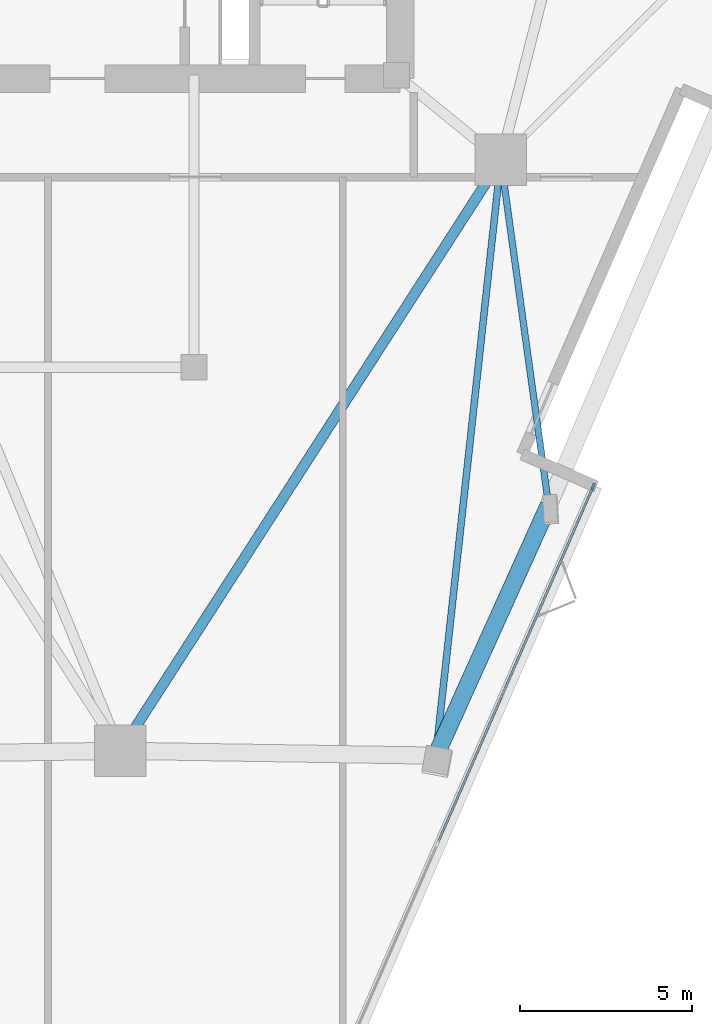
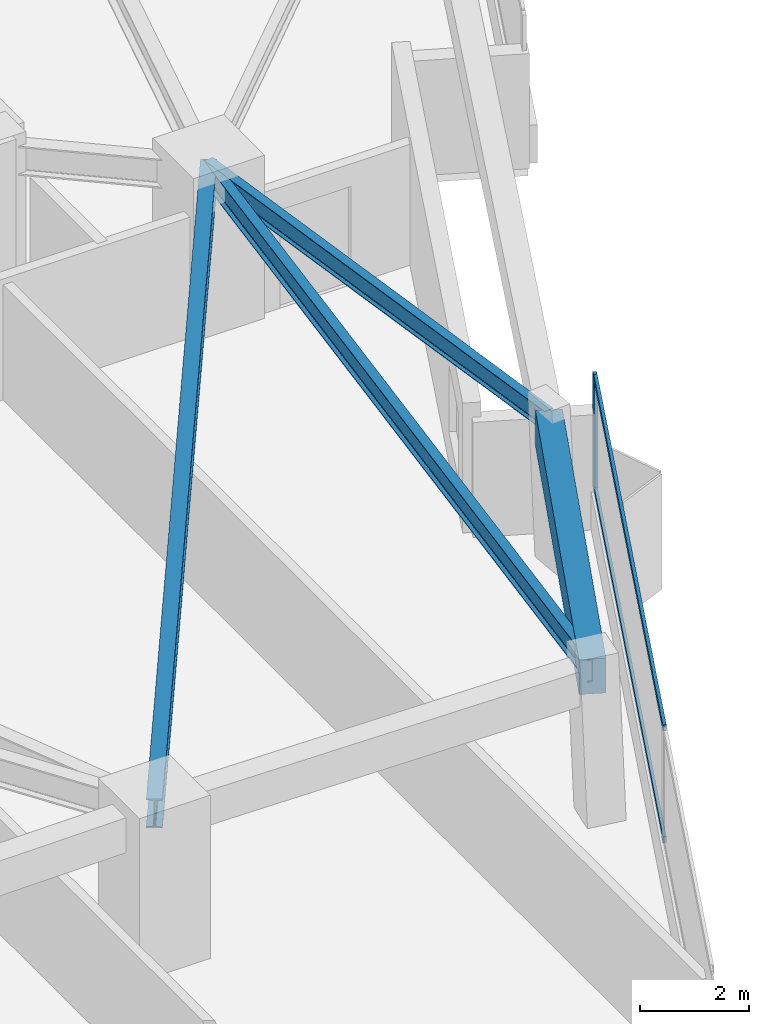
# One storey, part 3 of 12: 4 beams, 3 members, 1 element without a shape of its own.
"""IFC4 building model written with IfcOpenShell, lengths in metres."""

import ifcopenshell
import ifcopenshell.guid

model = None  # the IFC model being written
_history = None  # IfcOwnerHistory: only IFC2X3 demands one
_inside = {}  # id of a spatial element -> (the spatial element, [elements in it])
_under = {}  # id of a project, library or spatial element -> (it, [spatial elements below it])
_declared = {}  # id of a project -> (the project, [libraries it declares])
_typed = {}  # id of a type object -> (the type object, [elements of that type])
_made_of = {}  # id of a material, layer set ... -> (it, [elements and type objects made of it])


def new_model(schema):
    """Start an empty IFC model of exactly this schema.

    Asked for "IFC4X3", IfcOpenShell would pick the latest addendum, in which some entities
    have other attributes; the version numbers below select the first issue.
    IFC2X3 requires an IfcOwnerHistory on every rooted entity: one is made here for all.
    """
    global model, _history
    if schema == "IFC4X3":
        model = ifcopenshell.file(schema_version=(4, 3, 0, 0))
    else:
        model = ifcopenshell.file(schema=schema)
    _inside.clear()
    _under.clear()
    _declared.clear()
    _typed.clear()
    _made_of.clear()
    _history = None
    if model.schema == "IFC2X3":
        org = make("IfcOrganization", Name="unknown")
        user = make(
            "IfcPersonAndOrganization",
            ThePerson=make("IfcPerson", FamilyName="unknown"),
            TheOrganization=org,
        )
        app = make(
            "IfcApplication",
            ApplicationDeveloper=org,
            Version="unknown",
            ApplicationFullName="unknown",
            ApplicationIdentifier="unknown",
        )
        _history = make(
            "IfcOwnerHistory",
            OwningUser=user,
            OwningApplication=app,
            ChangeAction="ADDED",
            CreationDate=0,
        )
    return model


def make(cls, **values):
    """One entity of the class cls with the attributes given. An attribute that is None is left unset."""
    return model.create_entity(
        cls, **{name: value for name, value in values.items() if value is not None}
    )


def rooted(cls, **values):
    """An entity with a GlobalId (a new one), such as an element, a storey or a relation."""
    return make(cls, GlobalId=ifcopenshell.guid.new(), OwnerHistory=_history, **values)


def si_unit(unit_type, name, prefix=None):
    """IfcSIUnit, for example si_unit("LENGTHUNIT", "METRE", prefix="MILLI")."""
    return make("IfcSIUnit", UnitType=unit_type, Prefix=prefix, Name=name)


def assignment(units):
    """IfcUnitAssignment: the units of a project."""
    return None if units is None else make("IfcUnitAssignment", Units=units)


def point(xyz):
    """IfcCartesianPoint."""
    return None if xyz is None else make("IfcCartesianPoint", Coordinates=xyz)


def direction(xyz):
    """IfcDirection."""
    return None if xyz is None else make("IfcDirection", DirectionRatios=xyz)


def frame(location, z_axis=None, x_axis=None):
    """IfcAxis2Placement3D, a coordinate frame: its origin and axes. An axis left out is left unset."""
    return make(
        "IfcAxis2Placement3D",
        Location=point(location),
        Axis=direction(z_axis),
        RefDirection=direction(x_axis),
    )


def frame_2d(location, x_axis=None):
    """IfcAxis2Placement2D, a coordinate frame in the plane: its origin and x axis."""
    return make(
        "IfcAxis2Placement2D", Location=point(location), RefDirection=direction(x_axis)
    )


def origin():
    """The frame at (0, 0, 0) with its axes left unset."""
    return frame((0.0, 0.0, 0.0))


def origin_2d():
    """The frame at (0, 0) in the plane with its x axis left unset."""
    return frame_2d((0.0, 0.0))


def place(relative_to, where):
    """IfcLocalPlacement: puts the frame where relative to a parent placement (None: the world)."""
    return make(
        "IfcLocalPlacement", PlacementRelTo=relative_to, RelativePlacement=where
    )


def context(
    kind, dimensions, precision=None, world=None, true_north=None, identifier=None
):
    """IfcGeometricRepresentationContext, for example the 3D "Model" context."""
    return make(
        "IfcGeometricRepresentationContext",
        ContextIdentifier=identifier,
        ContextType=kind,
        CoordinateSpaceDimension=dimensions,
        Precision=precision,
        WorldCoordinateSystem=world,
        TrueNorth=true_north,
    )


def subcontext(parent, identifier, kind, view, scale=None):
    """IfcGeometricRepresentationSubContext, for example "Body" below "Model"."""
    return make(
        "IfcGeometricRepresentationSubContext",
        ContextIdentifier=identifier,
        ContextType=kind,
        ParentContext=parent,
        TargetScale=scale,
        TargetView=view,
    )


def project(units=None, contexts=None):
    """IfcProject with its units and contexts."""
    return rooted(
        "IfcProject",
        Name="project",
        RepresentationContexts=contexts,
        UnitsInContext=assignment(units),
    )


def spatial(cls, under=None, at=None, **own):
    """A site, building, storey or space (cls), placed at a placement, below another one or the project."""
    s = rooted(cls, ObjectPlacement=at, **own)
    if under is not None:
        _under.setdefault(under.id(), (under, []))[1].append(s)
    return s


def profile(cls, at=None, kind="AREA", **sizes):
    """A parametric profile (cls). Its sizes go by their IFC names, for example OverallWidth=200.0."""
    return make(cls, ProfileType=kind, Position=at, **sizes)


def rectangle(**sizes):
    """IfcRectangleProfileDef."""
    return profile("IfcRectangleProfileDef", **sizes)


def i_section(**sizes):
    """IfcIShapeProfileDef."""
    return profile("IfcIShapeProfileDef", **sizes)


def extrude(swept, where, along, depth):
    """IfcExtrudedAreaSolid: the profile swept, set in the frame where, extruded along a direction by depth."""
    return make(
        "IfcExtrudedAreaSolid",
        SweptArea=swept,
        Position=where,
        ExtrudedDirection=direction(along),
        Depth=depth,
    )


def shape(context_of_items, identifier, shape_type, items):
    """IfcShapeRepresentation: the items that make up one representation, for example the "Body"."""
    return make(
        "IfcShapeRepresentation",
        ContextOfItems=context_of_items,
        RepresentationIdentifier=identifier,
        RepresentationType=shape_type,
        Items=items,
    )


def material(Name=None, Category=None):
    """IfcMaterial."""
    return make("IfcMaterial", Name=Name, Category=Category)


def layer(
    of_material, thickness, ventilated=None, Name=None, Category=None, Priority=None
):
    """IfcMaterialLayer: one layer of a wall or slab, of a material (None: an air gap)."""
    return make(
        "IfcMaterialLayer",
        Material=of_material,
        LayerThickness=thickness,
        IsVentilated=ventilated,
        Name=Name,
        Category=Category,
        Priority=Priority,
    )


def layer_set(layers, Name=None):
    """IfcMaterialLayerSet."""
    return make("IfcMaterialLayerSet", MaterialLayers=layers, LayerSetName=Name)


def material_profile(
    of_material, cross_section, Name=None, Category=None, Priority=None
):
    """IfcMaterialProfile: a cross section and its material."""
    return make(
        "IfcMaterialProfile",
        Name=Name,
        Material=of_material,
        Profile=cross_section,
        Priority=Priority,
        Category=Category,
    )


def profile_set(profiles, Name=None, composite=None):
    """IfcMaterialProfileSet."""
    return make(
        "IfcMaterialProfileSet",
        Name=Name,
        MaterialProfiles=profiles,
        CompositeProfile=composite,
    )


def made_of(thing, what):
    """Note that an element or type object is made of a material, layer set ...; save() writes the relation."""
    if what is not None:
        _made_of.setdefault(what.id(), (what, []))[1].append(thing)
    return thing


def type_object(cls, material=None, **own):
    """A type object (cls), such as IfcWallType, which elements share."""
    return made_of(rooted(cls, **own), material)


def element(
    cls,
    number,
    at=None,
    inside=None,
    cuts=None,
    type_object=None,
    material=None,
    context=None,
    identifier="Body",
    shape_type=None,
    held_by="IfcProductDefinitionShape",
    body=None,
    shapes=None,
    **own,
):
    """One element of the class cls, such as IfcWall. Its Tag is "e" and its number.

    at: its placement. inside: the storey or other place that contains it. cuts: it is an
    opening in that element (IfcRelVoidsElement). A single representation is given by context,
    identifier, shape_type and body (its items); several are given by shapes. held_by: the class
    of the entity that holds the representations. save() writes the other relations.
    """
    e = rooted(cls, Tag="e%d" % number, ObjectPlacement=at, **own)
    if body is not None:
        shapes = [shape(context, identifier, shape_type, body)]
    if shapes is not None:
        e.Representation = make(held_by, Representations=shapes)
    if inside is not None:
        _inside.setdefault(inside.id(), (inside, []))[1].append(e)
    if cuts is not None:
        rooted(
            "IfcRelVoidsElement", RelatingBuildingElement=cuts, RelatedOpeningElement=e
        )
    if type_object is not None:
        _typed.setdefault(type_object.id(), (type_object, []))[1].append(e)
    return made_of(e, material)


def aggregate(whole, parts):
    """IfcRelAggregates: a whole, such as a stair, and the parts it consists of."""
    return rooted("IfcRelAggregates", RelatingObject=whole, RelatedObjects=parts)


def save(model, path):
    """Write the relations noted so far, then the file.

    IfcRelAggregates (storeys below a building ...), IfcRelContainedInSpatialStructure (elements
    in a storey), IfcRelDefinesByType, IfcRelAssociatesMaterial and IfcRelDeclares: one each for
    every whole, place, type object, material and project.
    """
    for whole, parts in _under.values():
        aggregate(whole, parts)
    for where, things in _inside.values():
        rooted(
            "IfcRelContainedInSpatialStructure",
            RelatedElements=things,
            RelatingStructure=where,
        )
    for kind, things in _typed.values():
        rooted("IfcRelDefinesByType", RelatedObjects=things, RelatingType=kind)
    for what, things in _made_of.values():
        rooted("IfcRelAssociatesMaterial", RelatedObjects=things, RelatingMaterial=what)
    for by, libraries in _declared.values():
        rooted("IfcRelDeclares", RelatingContext=by, RelatedDefinitions=libraries)
    model.write(path)


model = new_model("IFC4")

# Units and contexts
model_context = context("Model", 3, precision=1e-05, world=origin(), true_north=direction((0.0, 1.0)))
body_context = subcontext(model_context, "Body", "Model", "MODEL_VIEW")
ifc_project = project(units=[si_unit("LENGTHUNIT", "METRE"), si_unit("AREAUNIT", "SQUARE_METRE"), si_unit("VOLUMEUNIT", "CUBIC_METRE"), si_unit("PLANEANGLEUNIT", "RADIAN"), si_unit("MASSUNIT", "GRAM", prefix="KILO")], contexts=[model_context])

# Site, building, storey
site_placement = place(None, origin())
site = spatial("IfcSite", under=ifc_project, at=site_placement, CompositionType="ELEMENT")
building_placement = place(site_placement, origin())
building = spatial("IfcBuilding", under=site, at=building_placement, Name="Talyreon Biosciences Tower", CompositionType="ELEMENT")
storey_placement = place(building_placement, frame((0.0, 0.0, 156.39990234375)))
storey = spatial("IfcBuildingStorey", under=building, at=storey_placement, Name="L41", CompositionType="ELEMENT", Elevation=156.39990234375)

# Curtain wall, members
ifc_material_1 = material(Name="Thermally broken aluminium and low-E glazing", Category="aluminium")
ifc_layer = layer(ifc_material_1, 0.205078125)
ifc_layer_set = layer_set([ifc_layer], Name="Thermally broken aluminium and low-E glazing")
curtain_wall_type = type_object("IfcCurtainWallType", Name="CurtainWall_SkyGardenLoggia", PredefinedType="NOTDEFINED", material=ifc_layer_set)
curtain_wall_placement = place(storey_placement, origin())
curtain_wall = element("IfcCurtainWall", 1, at=curtain_wall_placement, inside=storey, type_object=curtain_wall_type, Name="L41 Unitised Curtain Wall FCW-L41-11", PredefinedType="NOTDEFINED")
ifc_material_2 = material(Name="Anodised thermally broken aluminium", Category="aluminium")
ifc_material_profile_1 = material_profile(ifc_material_2, rectangle(XDim=0.074951171875, YDim=0.2099609375, at=origin_2d()), Name="ALUM MULLION 75x210")
ifc_profile_set_1 = profile_set([ifc_material_profile_1], Name="Anodised thermally broken aluminium")
member_type_1 = type_object("IfcMemberType", Name="CWMullion_75x210", PredefinedType="MULLION", material=ifc_profile_set_1)
member_1_placement = place(storey_placement, frame((79.77490234375, 49.36572265625, 0.81005859375), z_axis=(0.0, 0.0, 1.0), x_axis=(0.916731848656, -0.399503088423, 0.0)))
member_1 = element("IfcMember", 2, at=member_1_placement, type_object=member_type_1, Name="CW7 mullion 1", PredefinedType="MULLION", context=body_context, shape_type="SweptSolid", body=[
    extrude(rectangle(XDim=0.074951171875, YDim=0.2099609375, at=origin_2d()), origin(), (0.0, 0.0, 1.0), 2.56494140625),
])
ifc_material_profile_2 = material_profile(ifc_material_2, rectangle(XDim=0.06494140625, YDim=0.139892578125, at=origin_2d()), Name="ALUM TRANSOM 65x140")
ifc_profile_set_2 = profile_set([ifc_material_profile_2], Name="Anodised thermally broken aluminium")
member_type_2 = type_object("IfcMemberType", Name="CWTransom_65x140", PredefinedType="USERDEFINED", material=ifc_profile_set_2)
member_2_placement = place(storey_placement, frame((79.760009765625, 49.331298828125, 0.842529296875), z_axis=(-0.399498148949, -0.916734001216, 0.0), x_axis=(0.916734001216, -0.399498148949, 0.0)))
member_2 = element("IfcMember", 3, at=member_2_placement, type_object=member_type_2, Name="CW7 transom 1.1", ObjectType="TRANSOM", PredefinedType="USERDEFINED", context=body_context, shape_type="SweptSolid", body=[
    extrude(rectangle(XDim=0.06494140625, YDim=0.139892578125, at=origin_2d()), origin(), (0.0, 0.0, 1.0), 11.27197265625),
])
member_3_placement = place(storey_placement, frame((79.760009765625, 49.331298828125, 3.342529296875), z_axis=(-0.399498148949, -0.916734001216, 0.0), x_axis=(0.916734001216, -0.399498148949, 0.0)))
member_3 = element("IfcMember", 4, at=member_3_placement, type_object=member_type_2, Name="CW7 transom 1.2", ObjectType="TRANSOM", PredefinedType="USERDEFINED", context=body_context, shape_type="SweptSolid", body=[
    extrude(rectangle(XDim=0.06494140625, YDim=0.139892578125, at=origin_2d()), origin(), (0.0, 0.0, 1.0), 11.27197265625),
])
aggregate(curtain_wall, [member_1, member_2, member_3])

# Beams
ifc_material_3 = material(Name="Precast concrete C45/55", Category="concrete")
ifc_material_profile_3 = material_profile(ifc_material_3, rectangle(XDim=0.5, YDim=0.780029296875, at=origin_2d()), Name="RCB 500x780")
ifc_profile_set_3 = profile_set([ifc_material_profile_3], Name="Precast concrete C45/55")
beam_type_1 = type_object("IfcBeamType", Name="ExpressedSpandrel_500x780", PredefinedType="SPANDREL", material=ifc_profile_set_3)
beam_1_placement = place(storey_placement, frame((75.191162109375, 41.525634765625, 2.985107421875), z_axis=(0.410952106558, 0.911656934442, 0.0), x_axis=(-0.911656934442, 0.410952106558, 0.0)))
element("IfcBeam", 5, at=beam_1_placement, inside=storey, type_object=beam_type_1, Name="L41 Expressed Horizontal Concrete Spandrel 02", PredefinedType="SPANDREL", context=body_context, shape_type="SweptSolid", body=[
    extrude(rectangle(XDim=0.5, YDim=0.780029296875, at=origin_2d()), origin(), (0.0, 0.0, 1.0), 8.0),
])
ifc_material_4 = material(Name="Steel SM355", Category="steel")
ifc_material_profile_4 = material_profile(ifc_material_4, i_section(OverallWidth=0.300048828125, OverallDepth=0.64990234375, WebThickness=0.01611328125, FlangeThickness=0.031005859375, FilletRadius=0.027099609375, at=origin_2d()), Name="HE650B")
ifc_profile_set_4 = profile_set([ifc_material_profile_4], Name="Steel SM355")
beam_type_2 = type_object("IfcBeamType", Name="SteelBeam_HE650B", PredefinedType="BEAM", material=ifc_profile_set_4)
beam_2_placement = place(storey_placement, frame((66.0, 41.6669921875, 3.050048828125), z_axis=(0.541463723609, 0.840724114092, 0.0), x_axis=(-0.840724114092, 0.541463723609, 0.0)))
element("IfcBeam", 6, at=beam_2_placement, inside=storey, type_object=beam_type_2, Name="L41 Mega-Ring Girder 1", PredefinedType="BEAM", context=body_context, shape_type="SweptSolid", body=[
    extrude(i_section(OverallWidth=0.300048828125, OverallDepth=0.64990234375, WebThickness=0.01611328125, FlangeThickness=0.031005859375, FilletRadius=0.027099609375, at=origin_2d()), origin(), (0.0, 0.0, 1.0), 20.474365234375),
])
ifc_material_profile_5 = material_profile(ifc_material_4, i_section(OverallWidth=0.18994140625, OverallDepth=0.449951171875, WebThickness=0.009521484375, FlangeThickness=0.0146484375, FilletRadius=0.02099609375, at=origin_2d()), Name="IPE450")
ifc_profile_set_5 = profile_set([ifc_material_profile_5], Name="Steel SM355")
beam_type_3 = type_object("IfcBeamType", Name="SteelJoist_IPE450", PredefinedType="JOIST", material=ifc_profile_set_5)
beam_3_placement = place(storey_placement, frame((77.086181640625, 58.88037109375, 3.150146484375), z_axis=(0.137099360416, -0.990557300399, 0.0), x_axis=(0.990557300399, 0.137099360416, 0.0)))
element("IfcBeam", 7, at=beam_3_placement, inside=storey, type_object=beam_type_3, Name="L41 Radial Composite Floor Joist PL-SE", PredefinedType="JOIST", context=body_context, shape_type="SweptSolid", body=[
    extrude(i_section(OverallWidth=0.18994140625, OverallDepth=0.449951171875, WebThickness=0.009521484375, FlangeThickness=0.0146484375, FilletRadius=0.02099609375, at=origin_2d()), origin(), (0.0, 0.0, 1.0), 10.157470703125),
])
ifc_material_profile_6 = material_profile(ifc_material_4, i_section(OverallWidth=0.199951171875, OverallDepth=0.5, WebThickness=0.01025390625, FlangeThickness=0.01611328125, FilletRadius=0.02099609375, at=origin_2d()), Name="IPE500")
ifc_profile_set_6 = profile_set([ifc_material_profile_6], Name="Steel SM355")
beam_type_4 = type_object("IfcBeamType", Name="SteelJoist_IPE500", PredefinedType="JOIST", material=ifc_profile_set_6)
beam_4_placement = place(storey_placement, frame((77.086181640625, 58.88037109375, 3.125), z_axis=(-0.108548019238, -0.994091206842, 0.0), x_axis=(0.994091206842, -0.108548019238, 0.0)))
element("IfcBeam", 8, at=beam_4_placement, inside=storey, type_object=beam_type_4, Name="L41 Radial Composite Floor Joist PC-SE1", PredefinedType="JOIST", context=body_context, shape_type="SweptSolid", body=[
    extrude(i_section(OverallWidth=0.199951171875, OverallDepth=0.5, WebThickness=0.01025390625, FlangeThickness=0.01611328125, FilletRadius=0.02099609375, at=origin_2d()), origin(), (0.0, 0.0, 1.0), 17.4580078125),
])

save(model, "model.ifc")
